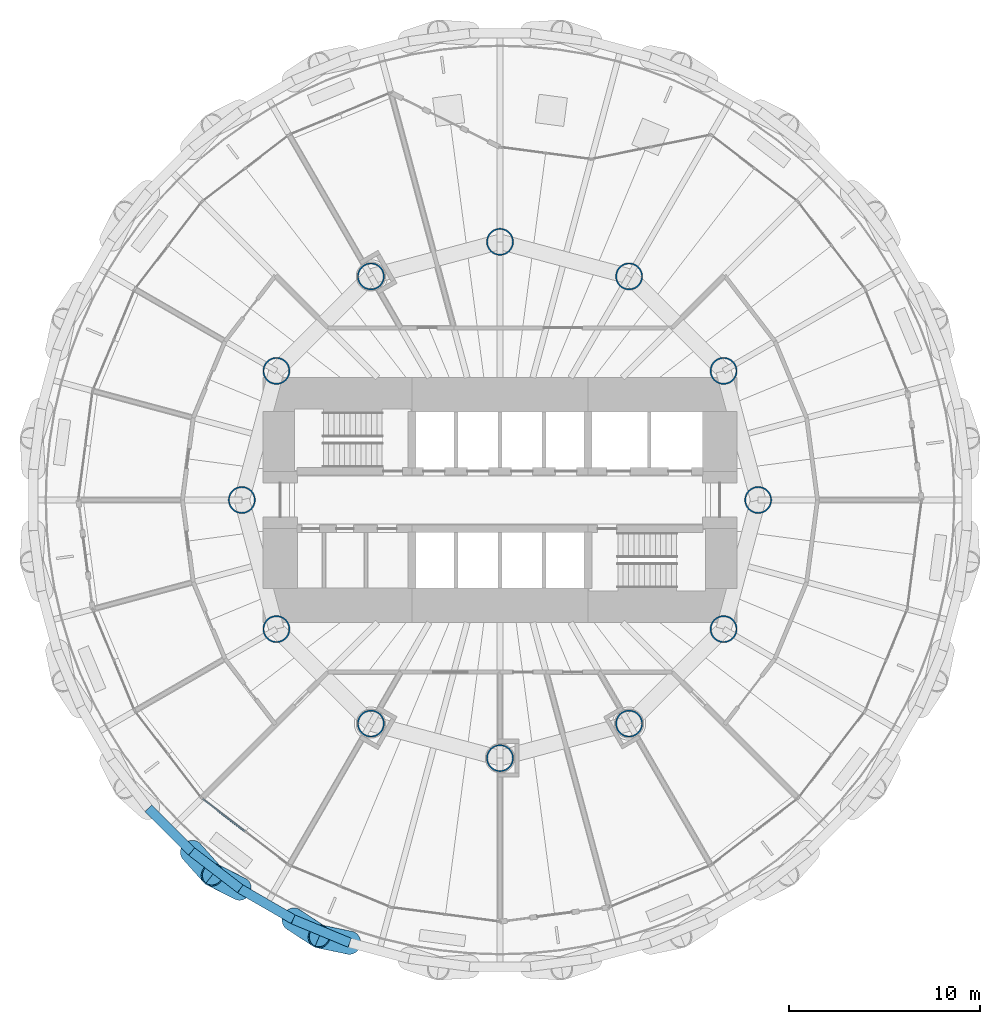
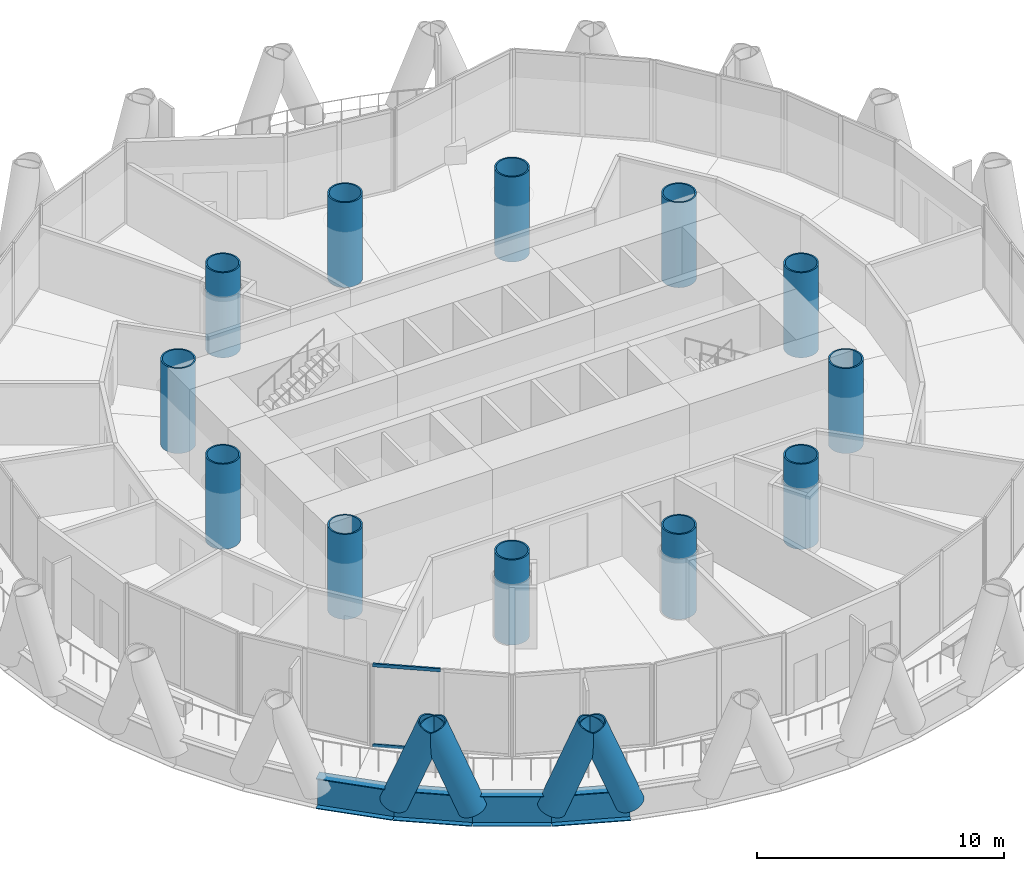
# One storey, part 1 of 16: 12 columns, 6 members, 4 beams, 1 element without a shape of its own.
"""IFC4 building model written with IfcOpenShell, lengths in metres."""

from ifc_helpers import new_model, si_unit, direction, frame, origin, origin_2d, place, context, subcontext, project, spatial, rectangle, hollow_circle, i_section, extrude, material, material_profile, profile_set, type_object, element, aggregate, save


model = new_model("IFC4")

# Units and contexts
model_context = context("Model", 3, precision=1e-05, world=origin(), true_north=direction((0.0, 1.0)))
body_context = subcontext(model_context, "Body", "Model", "MODEL_VIEW")
ifc_project = project(units=[si_unit("LENGTHUNIT", "METRE"), si_unit("AREAUNIT", "SQUARE_METRE"), si_unit("VOLUMEUNIT", "CUBIC_METRE"), si_unit("PLANEANGLEUNIT", "RADIAN"), si_unit("MASSUNIT", "GRAM", prefix="KILO")], contexts=[model_context])

# Site, building, storey
site_placement = place(None, origin())
site = spatial("IfcSite", under=ifc_project, at=site_placement, CompositionType="ELEMENT")
building_placement = place(site_placement, origin())
building = spatial("IfcBuilding", under=site, at=building_placement, Name="Qaws Media Tower", CompositionType="ELEMENT")
storey_placement = place(building_placement, frame((0.0, 0.0, 47.0)))
storey = spatial("IfcBuildingStorey", under=building, at=storey_placement, Name="L09", CompositionType="ELEMENT", Elevation=47.0)

# Columns
ifc_material_1 = material(Name="Steel S460", Category="steel")
ifc_material_profile_1 = material_profile(ifc_material_1, hollow_circle(Radius=0.7109375, WallThickness=0.070068359375, at=origin_2d()), Name="CHS 1422x70")
ifc_profile_set_1 = profile_set([ifc_material_profile_1], Name="Steel S460")
column_type = type_object("IfcColumnType", Name="Inner column CHS 1422x70", PredefinedType="COLUMN", material=ifc_profile_set_1)
for number, where, z_axis, x_axis, name in (
    (1, (73.5, 50.0, 0.0), (0.0, 0.0, 1.0), (1.0, 0.0, 0.0), "C5 inner column I01 L09"),
    (2, (71.69140625, 56.75, 0.0), (0.0, 0.0, 1.0), (1.0, 0.0, 0.0), "C5 inner column I02 L09"),
    (3, (66.75, 61.69140625, 0.0), (0.0, 0.0, 1.0), (1.0, 0.0, 0.0), "C5 inner column I03 L09"),
    (4, (60.0, 63.5, 0.0), (0.0, 0.0, 1.0), (1.0, 0.0, 0.0), "C5 inner column I04 L09"),
    (5, (53.25, 61.69140625, 0.0), (0.0, 0.0, 1.0), (1.0, 0.0, 0.0), "C5 inner column I05 L09"),
    (6, (48.30859375, 56.75, 0.0), (0.0, 0.0, 1.0), (1.0, 0.0, 0.0), "C5 inner column I06 L09"),
    (7, (46.5, 50.0, 0.0), (0.0, 0.0, 1.0), (1.0, 0.0, 0.0), "C5 inner column I07 L09"),
    (8, (48.30859375, 43.25, 0.0), (0.0, 0.0, 1.0), (1.0, 0.0, 0.0), "C5 inner column I08 L09"),
    (9, (53.25, 38.30859375, 0.0), (0.0, 0.0, 1.0), (1.0, 0.0, 0.0), "C5 inner column I09 L09"),
    (10, (60.0, 36.5, 0.0), (0.0, 0.0, 1.0), (1.0, 0.0, 0.0), "C5 inner column I10 L09"),
    (11, (66.75, 38.30859375, 0.0), (0.0, 0.0, 1.0), (1.0, 0.0, 0.0), "C5 inner column I11 L09"),
    (12, (71.69140625, 43.25, 0.0), (0.0, 0.0, 1.0), (1.0, 0.0, 0.0), "C5 inner column I12 L09"),
):
    element("IfcColumn", number, at=place(storey_placement, frame(where, z_axis=z_axis, x_axis=x_axis)), inside=storey, type_object=column_type, Name=name, PredefinedType="COLUMN", context=body_context, shape_type="SweptSolid", body=[
        extrude(hollow_circle(Radius=0.7109375, WallThickness=0.070068359375, at=origin_2d()), origin(), (0.0, 0.0, 1.0), 4.199951171875),
    ])

# Curtain wall, members
ifc_material_2 = material(Name="Aluminium and clear glass", Category="aluminium")
curtain_wall_type = type_object("IfcCurtainWallType", Name="Unitised curtain wall CW-A", PredefinedType="NOTDEFINED", material=ifc_material_2)
curtain_wall_placement = place(storey_placement, origin())
curtain_wall = element("IfcCurtainWall", 13, at=curtain_wall_placement, inside=storey, type_object=curtain_wall_type, Name="CWA curtain wall L09-16", PredefinedType="NOTDEFINED")
ifc_material_3 = material(Name="Aluminium transom", Category="aluminium")
ifc_material_profile_2 = material_profile(ifc_material_3, rectangle(XDim=0.080078125, YDim=0.159912109375, at=origin_2d()), Name="80x160")
ifc_profile_set_2 = profile_set([ifc_material_profile_2], Name="Aluminium transom")
member_type_1 = type_object("IfcMemberType", Name="Curtain wall transom 80x160", PredefinedType="USERDEFINED", material=ifc_profile_set_2)
member_1_placement = place(storey_placement, frame((44.4716796875, 34.359619140625, 0.0400390625), z_axis=(0.793376929066, -0.608730686286, 0.0), x_axis=(0.608730686286, 0.793376929066, 0.0)))
member_1 = element("IfcMember", 14, at=member_1_placement, type_object=member_type_1, Name="CWA transom 1.1", ObjectType="TRANSOM", PredefinedType="USERDEFINED", context=body_context, shape_type="SweptSolid", body=[
    extrude(rectangle(XDim=0.080078125, YDim=0.159912109375, at=origin_2d()), origin(), (0.0, 0.0, 1.0), 2.758056640625),
])
member_2_placement = place(storey_placement, frame((44.4716796875, 34.359619140625, 4.0), z_axis=(0.793376929066, -0.608730686286, 0.0), x_axis=(0.608730686286, 0.793376929066, 0.0)))
member_2 = element("IfcMember", 15, at=member_2_placement, type_object=member_type_1, Name="CWA transom 1.2", ObjectType="TRANSOM", PredefinedType="USERDEFINED", context=body_context, shape_type="SweptSolid", body=[
    extrude(rectangle(XDim=0.080078125, YDim=0.159912109375, at=origin_2d()), origin(), (0.0, 0.0, 1.0), 2.758056640625),
])
aggregate(curtain_wall, [member_1, member_2])

# Members
ifc_material_4 = material(Name="Steel S460", Category="steel")
ifc_material_profile_3 = material_profile(ifc_material_4, hollow_circle(Radius=0.609619140625, WallThickness=0.06005859375, at=origin_2d()), Name="CHS 1219x60")
ifc_profile_set_3 = profile_set([ifc_material_profile_3], Name="Steel S460")
member_type_2 = type_object("IfcMemberType", Name="Diagrid member CHS 1219x60", PredefinedType="USERDEFINED", material=ifc_profile_set_3)
member_3_placement = place(storey_placement, frame((43.87890625, 31.617431640625, -0.909912109375), z_axis=(0.240819425539, -0.269383872368, 0.9324367719), x_axis=(0.745527640018, 0.666474709175, 0.0)))
element("IfcMember", 16, at=member_3_placement, inside=storey, type_object=member_type_2, Name="DG1 diagrid L09 A16", ObjectType="DIAGRID", PredefinedType="USERDEFINED", context=body_context, shape_type="SweptSolid", body=[
    extrude(hollow_circle(Radius=0.609619140625, WallThickness=0.06005859375, at=origin_2d()), origin(), (0.0, 0.0, 1.0), 4.50439453125),
])
for number, where, z_axis, x_axis, name in (
    (17, (49.18603515625, 28.071533203125, -0.909912109375), (0.3022882165, -0.197893899666, 0.932448303468), (0.547722187695, 0.836660268632, 0.0), "DG1 diagrid L09 A17"),
    (18, (46.416259765625, 29.670654296875, -0.909912109375), (-0.322508751373, 0.16282626708, 0.932456815105), (-0.450690911272, -0.892680067267, 0.0), "DG1 diagrid L09 B17"),
):
    element("IfcMember", number, at=place(storey_placement, frame(where, z_axis=z_axis, x_axis=x_axis)), inside=storey, type_object=member_type_2, Name=name, ObjectType="DIAGRID", PredefinedType="USERDEFINED", context=body_context, shape_type="SweptSolid", body=[
        extrude(hollow_circle(Radius=0.609619140625, WallThickness=0.06005859375, at=origin_2d()), origin(), (0.0, 0.0, 1.0), 4.504150390625),
    ])
member_4_placement = place(storey_placement, frame((52.140869140625, 26.84765625, -0.909912109375), z_axis=(-0.353720827329, 0.073822826666, 0.932433250467), x_axis=(-0.204301665065, -0.978907978133, 0.0)))
element("IfcMember", 19, at=member_4_placement, inside=storey, type_object=member_type_2, Name="DG1 diagrid L09 B18", ObjectType="DIAGRID", PredefinedType="USERDEFINED", context=body_context, shape_type="SweptSolid", body=[
    extrude(hollow_circle(Radius=0.609619140625, WallThickness=0.06005859375, at=origin_2d()), origin(), (0.0, 0.0, 1.0), 4.50439453125),
])

# Beams
ifc_material_5 = material(Name="Steel S460", Category="steel")
ifc_material_profile_4 = material_profile(ifc_material_5, i_section(OverallWidth=0.5, OverallDepth=1.5, WebThickness=0.02001953125, FlangeThickness=0.0400390625, at=origin_2d()), Name="PG 1500x500")
ifc_profile_set_4 = profile_set([ifc_material_profile_4], Name="Steel S460")
beam_type = type_object("IfcBeamType", Name="Edge ring beam PG 1500x500", PredefinedType="BEAM", material=ifc_profile_set_4)
for number, where, z_axis, x_axis, name in (
    (20, (41.617431640625, 33.87890625, -0.909912109375), (0.707106781187, -0.707106781187, 0.0), (0.707106781187, 0.707106781187, 0.0), "RB4 edge ring beam L09-30"),
    (21, (43.87890625, 31.617431640625, -0.909912109375), (0.793383917565, -0.608721577857, 0.0), (0.608721577857, 0.793383917565, 0.0), "RB4 edge ring beam L09-31"),
    (22, (46.416259765625, 29.670654296875, -0.909912109375), (0.866026686418, -0.499997778408, 0.0), (0.499997778408, 0.866026686418, 0.0), "RB4 edge ring beam L09-32"),
    (23, (49.18603515625, 28.071533203125, -0.909912109375), (0.923885651932, -0.382668658443, 0.0), (0.382668658443, 0.923885651932, 0.0), "RB4 edge ring beam L09-33"),
):
    element("IfcBeam", number, at=place(storey_placement, frame(where, z_axis=z_axis, x_axis=x_axis)), inside=storey, type_object=beam_type, Name=name, PredefinedType="BEAM", context=body_context, shape_type="SweptSolid", body=[
        extrude(i_section(OverallWidth=0.5, OverallDepth=1.5, WebThickness=0.02001953125, FlangeThickness=0.0400390625, at=origin_2d()), origin(), (0.0, 0.0, 1.0), 3.1982421875),
    ])

save(model, "model.ifc")
